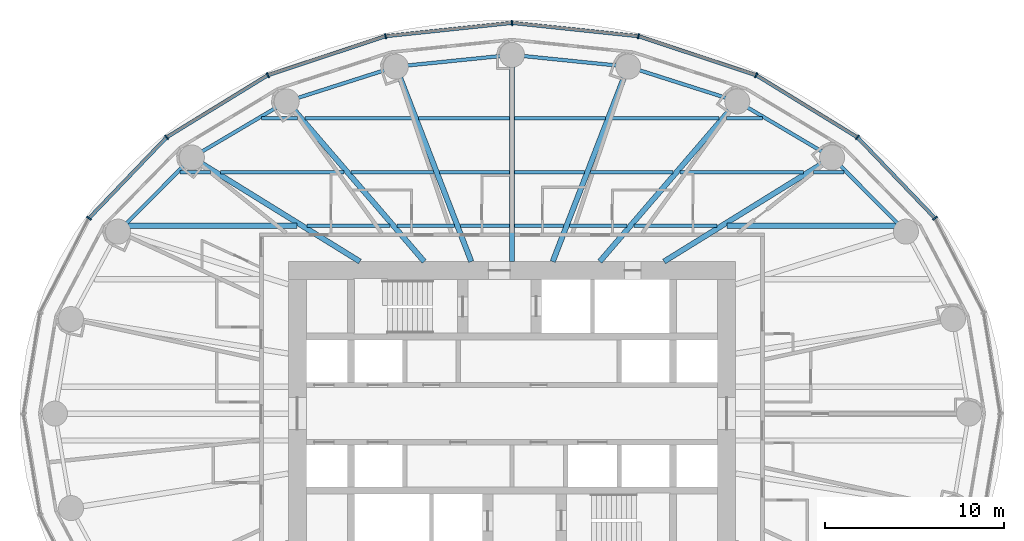
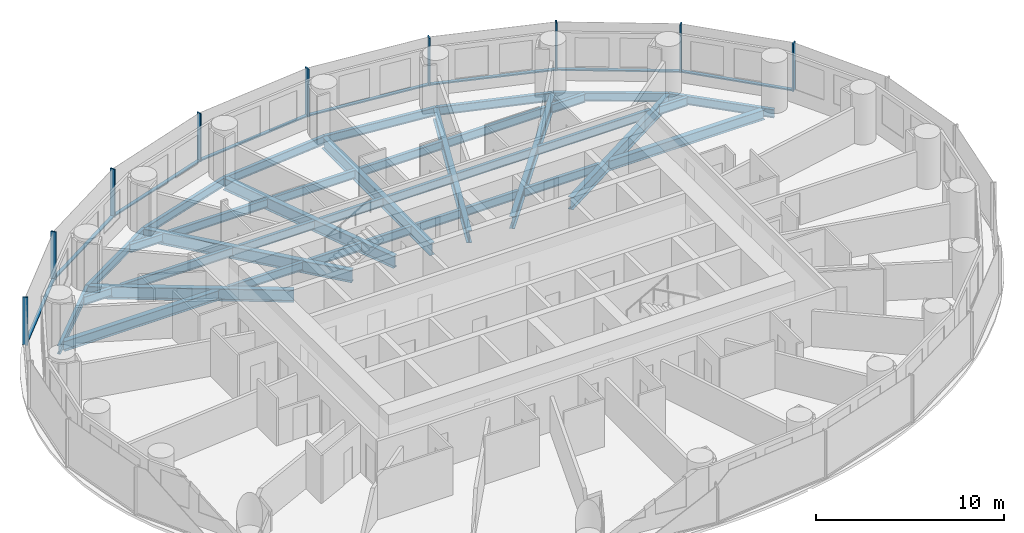
# One storey, part 4 of 14: 37 beams, 17 members, 2 elements without a shape of their own.
"""IFC4 building model written with IfcOpenShell, lengths in metres."""

from ifc_helpers import new_model, si_unit, direction, frame, origin, origin_2d, place, context, subcontext, project, spatial, rectangle, i_section, extrude, material, material_profile, profile_set, type_object, element, aggregate, save


model = new_model("IFC4")

# Units and contexts
model_context = context("Model", 3, precision=1e-05, world=origin(), true_north=direction((0.0, 1.0)))
body_context = subcontext(model_context, "Body", "Model", "MODEL_VIEW")
ifc_project = project(units=[si_unit("LENGTHUNIT", "METRE"), si_unit("AREAUNIT", "SQUARE_METRE"), si_unit("VOLUMEUNIT", "CUBIC_METRE"), si_unit("PLANEANGLEUNIT", "RADIAN"), si_unit("MASSUNIT", "GRAM", prefix="KILO")], contexts=[model_context])

# Site, building, storey
site_placement = place(None, origin())
site = spatial("IfcSite", under=ifc_project, at=site_placement, CompositionType="ELEMENT")
building_placement = place(site_placement, origin())
building = spatial("IfcBuilding", under=site, at=building_placement, Name="Hankou Lantern Tower", CompositionType="ELEMENT")
storey_placement = place(building_placement, frame((0.0, 0.0, 63.89990234375)))
storey = spatial("IfcBuildingStorey", under=building, at=storey_placement, Name="L15", CompositionType="ELEMENT", Elevation=63.89990234375)

# Beams
ifc_material_1 = material(Name="Steel Q355B", Category="steel")
ifc_material_profile_1 = material_profile(ifc_material_1, i_section(OverallWidth=0.199951171875, OverallDepth=0.550048828125, WebThickness=0.010009765625, FlangeThickness=0.01611328125, FilletRadius=0.012939453125, at=origin_2d()), Name="HN550x200x10x16")
ifc_profile_set_1 = profile_set([ifc_material_profile_1], Name="Steel Q355B")
beam_type_1 = type_object("IfcBeamType", Name="EB6 RING BEAM HN550x200x10x16", PredefinedType="SPANDREL", material=ifc_profile_set_1)
beam_1_placement = place(storey_placement, frame((22.01904296875, 10.170166015625, -0.454833984375), z_axis=(-0.705727798394, 0.708483079949, 0.0), x_axis=(-0.708483079949, -0.705727798394, 0.0)))
element("IfcBeam", 1, at=beam_1_placement, inside=storey, type_object=beam_type_1, Name="Ring beam R03-R04 L15", PredefinedType="SPANDREL", context=body_context, shape_type="SweptSolid", body=[
    extrude(i_section(OverallWidth=0.199951171875, OverallDepth=0.550048828125, WebThickness=0.010009765625, FlangeThickness=0.01611328125, FilletRadius=0.012939453125, at=origin_2d()), origin(), (0.0, 0.0, 1.0), 5.84814453125),
])
beam_2_placement = place(storey_placement, frame((17.891845703125, 14.3134765625, -0.454833984375), z_axis=(-0.860881533543, 0.508805449268, 0.0), x_axis=(-0.508805449268, -0.860881533543, 0.0)))
element("IfcBeam", 2, at=beam_2_placement, inside=storey, type_object=beam_type_1, Name="Ring beam R04-R05 L15", PredefinedType="SPANDREL", context=body_context, shape_type="SweptSolid", body=[
    extrude(i_section(OverallWidth=0.199951171875, OverallDepth=0.550048828125, WebThickness=0.010009765625, FlangeThickness=0.01611328125, FilletRadius=0.012939453125, at=origin_2d()), origin(), (0.0, 0.0, 1.0), 6.15771484375),
])
beam_3_placement = place(storey_placement, frame((12.5908203125, 17.446533203125, -0.454833984375), z_axis=(-0.952690479428, 0.303942182671, 0.0), x_axis=(-0.303942182671, -0.952690479428, 0.0)))
element("IfcBeam", 3, at=beam_3_placement, inside=storey, type_object=beam_type_1, Name="Ring beam R05-R06 L15", PredefinedType="SPANDREL", context=body_context, shape_type="SweptSolid", body=[
    extrude(i_section(OverallWidth=0.199951171875, OverallDepth=0.550048828125, WebThickness=0.010009765625, FlangeThickness=0.01611328125, FilletRadius=0.012939453125, at=origin_2d()), origin(), (0.0, 0.0, 1.0), 6.398681640625),
])
for number, where, z_axis, x_axis, name in (
    (4, (6.494873046875, 19.391357421875, -0.454833984375), (-0.994896616842, 0.100899562915, 0.0), (-0.100899562915, -0.994896616842, 0.0), "Ring beam R06-R07 L15"),
    (5, (0.0, 20.050048828125, -0.454833984375), (-0.994896616842, -0.100899562915, 0.0), (0.100899562915, -0.994896616842, 0.0), "Ring beam R07-R08 L15"),
):
    element("IfcBeam", number, at=place(storey_placement, frame(where, z_axis=z_axis, x_axis=x_axis)), inside=storey, type_object=beam_type_1, Name=name, PredefinedType="SPANDREL", context=body_context, shape_type="SweptSolid", body=[
        extrude(i_section(OverallWidth=0.199951171875, OverallDepth=0.550048828125, WebThickness=0.010009765625, FlangeThickness=0.01611328125, FilletRadius=0.012939453125, at=origin_2d()), origin(), (0.0, 0.0, 1.0), 6.528076171875),
    ])
beam_4_placement = place(storey_placement, frame((-6.494873046875, 19.391357421875, -0.454833984375), z_axis=(-0.952690479428, -0.303942182671, 0.0), x_axis=(0.303942182671, -0.952690479428, 0.0)))
element("IfcBeam", 6, at=beam_4_placement, inside=storey, type_object=beam_type_1, Name="Ring beam R08-R09 L15", PredefinedType="SPANDREL", context=body_context, shape_type="SweptSolid", body=[
    extrude(i_section(OverallWidth=0.199951171875, OverallDepth=0.550048828125, WebThickness=0.010009765625, FlangeThickness=0.01611328125, FilletRadius=0.012939453125, at=origin_2d()), origin(), (0.0, 0.0, 1.0), 6.398681640625),
])
beam_5_placement = place(storey_placement, frame((-12.5908203125, 17.446533203125, -0.454833984375), z_axis=(-0.860881533543, -0.508805449268, 0.0), x_axis=(0.508805449268, -0.860881533543, 0.0)))
element("IfcBeam", 7, at=beam_5_placement, inside=storey, type_object=beam_type_1, Name="Ring beam R09-R10 L15", PredefinedType="SPANDREL", context=body_context, shape_type="SweptSolid", body=[
    extrude(i_section(OverallWidth=0.199951171875, OverallDepth=0.550048828125, WebThickness=0.010009765625, FlangeThickness=0.01611328125, FilletRadius=0.012939453125, at=origin_2d()), origin(), (0.0, 0.0, 1.0), 6.15771484375),
])
beam_6_placement = place(storey_placement, frame((-17.891845703125, 14.3134765625, -0.454833984375), z_axis=(-0.705727798394, -0.708483079949, 0.0), x_axis=(0.708483079949, -0.705727798394, 0.0)))
element("IfcBeam", 8, at=beam_6_placement, inside=storey, type_object=beam_type_1, Name="Ring beam R10-R11 L15", PredefinedType="SPANDREL", context=body_context, shape_type="SweptSolid", body=[
    extrude(i_section(OverallWidth=0.199951171875, OverallDepth=0.550048828125, WebThickness=0.010009765625, FlangeThickness=0.01611328125, FilletRadius=0.012939453125, at=origin_2d()), origin(), (0.0, 0.0, 1.0), 5.84814453125),
])

# Curtain wall, members
ifc_material_2 = material(Name="Glass, dark grey tinted laminated", Category="glass")
curtain_wall_type = type_object("IfcCurtainWallType", Name="CWA OUTER SKIN LOW-RISE", PredefinedType="USERDEFINED", material=ifc_material_2)
curtain_wall_1_placement = place(storey_placement, origin())
curtain_wall_1 = element("IfcCurtainWall", 9, at=curtain_wall_1_placement, inside=storey, type_object=curtain_wall_type, Name="CWA L15 OS1", ObjectType="OUTER SKIN LOW-RISE", PredefinedType="USERDEFINED")
ifc_material_3 = material(Name="Aluminium, black anodised", Category="aluminium")
ifc_material_profile_2 = material_profile(ifc_material_3, rectangle(XDim=0.080078125, YDim=0.300048828125, at=origin_2d()), Name="MU1 80X300")
ifc_profile_set_2 = profile_set([ifc_material_profile_2], Name="Aluminium, black anodised")
member_type_1 = type_object("IfcMemberType", Name="MU1 OUTER SKIN MULLION 80X300", PredefinedType="MULLION", material=ifc_profile_set_2)
member_1_placement = place(storey_placement, frame((23.642578125, 10.919921875, 0.0), z_axis=(0.0, 0.0, 1.0), x_axis=(-0.585205735974, 0.810884854084, 0.0)))
member_1 = element("IfcMember", 10, at=member_1_placement, type_object=member_type_1, Name="CWA mullion 3", PredefinedType="MULLION", context=body_context, shape_type="SweptSolid", body=[
    extrude(rectangle(XDim=0.080078125, YDim=0.300048828125, at=origin_2d()), origin(), (0.0, 0.0, 1.0), 3.1201171875),
])
member_2_placement = place(storey_placement, frame((19.303955078125, 15.443115234375, 0.0), z_axis=(0.0, 0.0, 1.0), x_axis=(-0.780868809444, 0.624695047553, 0.0)))
member_2 = element("IfcMember", 11, at=member_2_placement, type_object=member_type_1, Name="CWA mullion 4", PredefinedType="MULLION", context=body_context, shape_type="SweptSolid", body=[
    extrude(rectangle(XDim=0.080078125, YDim=0.300048828125, at=origin_2d()), origin(), (0.0, 0.0, 1.0), 3.1201171875),
])
member_3_placement = place(storey_placement, frame((13.64990234375, 18.9140625, 0.0), z_axis=(0.0, 0.0, 1.0), x_axis=(-0.907841299004, 0.419313934686, 0.0)))
member_3 = element("IfcMember", 12, at=member_3_placement, type_object=member_type_1, Name="CWA mullion 5", PredefinedType="MULLION", context=body_context, shape_type="SweptSolid", body=[
    extrude(rectangle(XDim=0.080078125, YDim=0.300048828125, at=origin_2d()), origin(), (0.0, 0.0, 1.0), 3.1201171875),
])
member_4_placement = place(storey_placement, frame((7.065673828125, 21.095703125, 0.0), z_axis=(0.0, 0.0, 1.0), x_axis=(-0.977787659625, 0.209597931016, 0.0)))
member_4 = element("IfcMember", 13, at=member_4_placement, type_object=member_type_1, Name="CWA mullion 6", PredefinedType="MULLION", context=body_context, shape_type="SweptSolid", body=[
    extrude(rectangle(XDim=0.080078125, YDim=0.300048828125, at=origin_2d()), origin(), (0.0, 0.0, 1.0), 3.1201171875),
])

curtain_wall_2_placement = place(storey_placement, origin())
curtain_wall_2 = element("IfcCurtainWall", 14, at=curtain_wall_2_placement, inside=storey, type_object=curtain_wall_type, Name="CWA L15 OS2", ObjectType="OUTER SKIN LOW-RISE", PredefinedType="USERDEFINED")
member_5_placement = place(storey_placement, frame((0.0, 21.840087890625, 0.0), z_axis=(0.0, 0.0, 1.0), x_axis=(-0.994499359107, -0.104742659579, 0.0)))
member_5 = element("IfcMember", 15, at=member_5_placement, type_object=member_type_1, Name="CWA mullion 1", PredefinedType="MULLION", context=body_context, shape_type="SweptSolid", body=[
    extrude(rectangle(XDim=0.080078125, YDim=0.300048828125, at=origin_2d()), origin(), (0.0, 0.0, 1.0), 3.1201171875),
])
member_6_placement = place(storey_placement, frame((-7.065673828125, 21.095703125, 0.0), z_axis=(0.0, 0.0, 1.0), x_axis=(-0.977787659625, -0.209597931016, 0.0)))
member_6 = element("IfcMember", 16, at=member_6_placement, type_object=member_type_1, Name="CWA mullion 2", PredefinedType="MULLION", context=body_context, shape_type="SweptSolid", body=[
    extrude(rectangle(XDim=0.080078125, YDim=0.300048828125, at=origin_2d()), origin(), (0.0, 0.0, 1.0), 3.1201171875),
])
member_7_placement = place(storey_placement, frame((-13.64990234375, 18.9140625, 0.0), z_axis=(0.0, 0.0, 1.0), x_axis=(-0.907841299004, -0.419313934686, 0.0)))
member_7 = element("IfcMember", 17, at=member_7_placement, type_object=member_type_1, Name="CWA mullion 3", PredefinedType="MULLION", context=body_context, shape_type="SweptSolid", body=[
    extrude(rectangle(XDim=0.080078125, YDim=0.300048828125, at=origin_2d()), origin(), (0.0, 0.0, 1.0), 3.1201171875),
])
member_8_placement = place(storey_placement, frame((-19.303955078125, 15.443115234375, 0.0), z_axis=(0.0, 0.0, 1.0), x_axis=(-0.780868809444, -0.624695047553, 0.0)))
member_8 = element("IfcMember", 18, at=member_8_placement, type_object=member_type_1, Name="CWA mullion 4", PredefinedType="MULLION", context=body_context, shape_type="SweptSolid", body=[
    extrude(rectangle(XDim=0.080078125, YDim=0.300048828125, at=origin_2d()), origin(), (0.0, 0.0, 1.0), 3.1201171875),
])
member_9_placement = place(storey_placement, frame((-23.642578125, 10.919921875, 0.0), z_axis=(0.0, 0.0, 1.0), x_axis=(-0.585205735974, -0.810884854084, 0.0)))
member_9 = element("IfcMember", 19, at=member_9_placement, type_object=member_type_1, Name="CWA mullion 5", PredefinedType="MULLION", context=body_context, shape_type="SweptSolid", body=[
    extrude(rectangle(XDim=0.080078125, YDim=0.300048828125, at=origin_2d()), origin(), (0.0, 0.0, 1.0), 3.1201171875),
])

# Beams
ifc_material_4 = material(Name="Steel Q355B", Category="steel")
ifc_material_profile_3 = material_profile(ifc_material_4, i_section(OverallWidth=0.300048828125, OverallDepth=0.800048828125, WebThickness=0.013916015625, FlangeThickness=0.02587890625, FilletRadius=0.01806640625, at=origin_2d()), Name="HN800x300x14x26")
ifc_profile_set_3 = profile_set([ifc_material_profile_3], Name="Steel Q355B")
beam_type_2 = type_object("IfcBeamType", Name="RB11 RADIAL BEAM HN800x300x14x26", PredefinedType="BEAM", material=ifc_profile_set_3)
beam_7_placement = place(storey_placement, frame((8.5, 8.5, -0.579833984375), z_axis=(0.850286343288, 0.526320372414, 0.0), x_axis=(-0.526320372414, 0.850286343288, 0.0)))
element("IfcBeam", 20, at=beam_7_placement, inside=storey, type_object=beam_type_2, Name="Radial beam R04 L15", PredefinedType="BEAM", context=body_context, shape_type="SweptSolid", body=[
    extrude(i_section(OverallWidth=0.300048828125, OverallDepth=0.800048828125, WebThickness=0.013916015625, FlangeThickness=0.02587890625, FilletRadius=0.01806640625, at=origin_2d()), origin(), (0.0, 0.0, 1.0), 11.04541015625),
])
beam_8_placement = place(storey_placement, frame((4.907470703125, 8.5, -0.579833984375), z_axis=(0.651519061225, 0.758632264579, 0.0), x_axis=(-0.758632264579, 0.651519061225, 0.0)))
element("IfcBeam", 21, at=beam_8_placement, inside=storey, type_object=beam_type_2, Name="Radial beam R05 L15", PredefinedType="BEAM", context=body_context, shape_type="SweptSolid", body=[
    extrude(i_section(OverallWidth=0.300048828125, OverallDepth=0.800048828125, WebThickness=0.013916015625, FlangeThickness=0.02587890625, FilletRadius=0.01806640625, at=origin_2d()), origin(), (0.0, 0.0, 1.0), 11.79296875),
])
beam_9_placement = place(storey_placement, frame((2.277587890625, 8.5, -0.579833984375), z_axis=(0.361089103374, 0.932531318201, 0.0), x_axis=(-0.932531318201, 0.361089103374, 0.0)))
element("IfcBeam", 22, at=beam_9_placement, inside=storey, type_object=beam_type_2, Name="Radial beam R06 L15", PredefinedType="BEAM", context=body_context, shape_type="SweptSolid", body=[
    extrude(i_section(OverallWidth=0.300048828125, OverallDepth=0.800048828125, WebThickness=0.013916015625, FlangeThickness=0.02587890625, FilletRadius=0.01806640625, at=origin_2d()), origin(), (0.0, 0.0, 1.0), 11.679443359375),
])
beam_10_placement = place(storey_placement, frame((0.0, 8.5, -0.579833984375), z_axis=(0.0, 1.0, 0.0), x_axis=(-1.0, 0.0, 0.0)))
element("IfcBeam", 23, at=beam_10_placement, inside=storey, type_object=beam_type_2, Name="Radial beam R07 L15", PredefinedType="BEAM", context=body_context, shape_type="SweptSolid", body=[
    extrude(i_section(OverallWidth=0.300048828125, OverallDepth=0.800048828125, WebThickness=0.013916015625, FlangeThickness=0.02587890625, FilletRadius=0.01806640625, at=origin_2d()), origin(), (0.0, 0.0, 1.0), 11.550048828125),
])
beam_11_placement = place(storey_placement, frame((-2.277587890625, 8.5, -0.579833984375), z_axis=(-0.361089103374, 0.932531318201, 0.0), x_axis=(-0.932531318201, -0.361089103374, 0.0)))
element("IfcBeam", 24, at=beam_11_placement, inside=storey, type_object=beam_type_2, Name="Radial beam R08 L15", PredefinedType="BEAM", context=body_context, shape_type="SweptSolid", body=[
    extrude(i_section(OverallWidth=0.300048828125, OverallDepth=0.800048828125, WebThickness=0.013916015625, FlangeThickness=0.02587890625, FilletRadius=0.01806640625, at=origin_2d()), origin(), (0.0, 0.0, 1.0), 11.679443359375),
])
beam_12_placement = place(storey_placement, frame((-4.907470703125, 8.5, -0.579833984375), z_axis=(-0.651519061225, 0.758632264579, 0.0), x_axis=(-0.758632264579, -0.651519061225, 0.0)))
element("IfcBeam", 25, at=beam_12_placement, inside=storey, type_object=beam_type_2, Name="Radial beam R09 L15", PredefinedType="BEAM", context=body_context, shape_type="SweptSolid", body=[
    extrude(i_section(OverallWidth=0.300048828125, OverallDepth=0.800048828125, WebThickness=0.013916015625, FlangeThickness=0.02587890625, FilletRadius=0.01806640625, at=origin_2d()), origin(), (0.0, 0.0, 1.0), 11.79296875),
])
beam_13_placement = place(storey_placement, frame((-8.5, 8.5, -0.579833984375), z_axis=(-0.850286343288, 0.526320372414, 0.0), x_axis=(-0.526320372414, -0.850286343288, 0.0)))
element("IfcBeam", 26, at=beam_13_placement, inside=storey, type_object=beam_type_2, Name="Radial beam R10 L15", PredefinedType="BEAM", context=body_context, shape_type="SweptSolid", body=[
    extrude(i_section(OverallWidth=0.300048828125, OverallDepth=0.800048828125, WebThickness=0.013916015625, FlangeThickness=0.02587890625, FilletRadius=0.01806640625, at=origin_2d()), origin(), (0.0, 0.0, 1.0), 11.04541015625),
])
ifc_material_5 = material(Name="Steel Q355B", Category="steel")
ifc_material_profile_4 = material_profile(ifc_material_5, i_section(OverallWidth=0.199951171875, OverallDepth=0.550048828125, WebThickness=0.010009765625, FlangeThickness=0.01611328125, FilletRadius=0.012939453125, at=origin_2d()), Name="HN550x200x10x16")
ifc_profile_set_4 = profile_set([ifc_material_profile_4], Name="Steel Q355B")
beam_type_3 = type_object("IfcBeamType", Name="SB6 SECONDARY BEAM HN550x200x10x16", PredefinedType="JOIST", material=ifc_profile_set_4)
beam_14_placement = place(storey_placement, frame((-11.446044921875, 10.5, -0.454833984375), z_axis=(1.0, 0.0, 0.0), x_axis=(0.0, 1.0, 0.0)))
element("IfcBeam", 27, at=beam_14_placement, inside=storey, type_object=beam_type_3, Name="Floor joist J040 L15", PredefinedType="JOIST", context=body_context, shape_type="SweptSolid", body=[
    extrude(i_section(OverallWidth=0.199951171875, OverallDepth=0.550048828125, WebThickness=0.010009765625, FlangeThickness=0.01611328125, FilletRadius=0.012939453125, at=origin_2d()), origin(), (0.0, 0.0, 1.0), 4.623291015625),
])
beam_15_placement = place(storey_placement, frame((-6.427490234375, 10.5, -0.454833984375), z_axis=(1.0, 0.0, 0.0), x_axis=(0.0, 1.0, 0.0)))
element("IfcBeam", 28, at=beam_15_placement, inside=storey, type_object=beam_type_3, Name="Floor joist J041 L15", PredefinedType="JOIST", context=body_context, shape_type="SweptSolid", body=[
    extrude(i_section(OverallWidth=0.199951171875, OverallDepth=0.550048828125, WebThickness=0.010009765625, FlangeThickness=0.01611328125, FilletRadius=0.012939453125, at=origin_2d()), origin(), (0.0, 0.0, 1.0), 3.214599609375),
])
for number, where, z_axis, x_axis, name in (
    (29, (-2.89111328125, 10.5, -0.454833984375), (1.0, 0.0, 0.0), (0.0, 1.0, 0.0), "Floor joist J042 L15"),
    (30, (0.14990234375, 10.5, -0.454833984375), (1.0, 0.0, 0.0), (0.0, 1.0, 0.0), "Floor joist J043 L15"),
):
    element("IfcBeam", number, at=place(storey_placement, frame(where, z_axis=z_axis, x_axis=x_axis)), inside=storey, type_object=beam_type_3, Name=name, PredefinedType="JOIST", context=body_context, shape_type="SweptSolid", body=[
        extrude(i_section(OverallWidth=0.199951171875, OverallDepth=0.550048828125, WebThickness=0.010009765625, FlangeThickness=0.01611328125, FilletRadius=0.012939453125, at=origin_2d()), origin(), (0.0, 0.0, 1.0), 2.7412109375),
    ])
beam_16_placement = place(storey_placement, frame((3.212890625, 10.5, -0.454833984375), z_axis=(1.0, 0.0, 0.0), x_axis=(0.0, 1.0, 0.0)))
element("IfcBeam", 31, at=beam_16_placement, inside=storey, type_object=beam_type_3, Name="Floor joist J044 L15", PredefinedType="JOIST", context=body_context, shape_type="SweptSolid", body=[
    extrude(i_section(OverallWidth=0.199951171875, OverallDepth=0.550048828125, WebThickness=0.010009765625, FlangeThickness=0.01611328125, FilletRadius=0.012939453125, at=origin_2d()), origin(), (0.0, 0.0, 1.0), 3.214599609375),
])
beam_17_placement = place(storey_placement, frame((6.82275390625, 10.5, -0.454833984375), z_axis=(1.0, 0.0, 0.0), x_axis=(0.0, 1.0, 0.0)))
element("IfcBeam", 32, at=beam_17_placement, inside=storey, type_object=beam_type_3, Name="Floor joist J045 L15", PredefinedType="JOIST", context=body_context, shape_type="SweptSolid", body=[
    extrude(i_section(OverallWidth=0.199951171875, OverallDepth=0.550048828125, WebThickness=0.010009765625, FlangeThickness=0.01611328125, FilletRadius=0.012939453125, at=origin_2d()), origin(), (0.0, 0.0, 1.0), 4.623291015625),
])
beam_18_placement = place(storey_placement, frame((-18.560791015625, 13.5, -0.454833984375), z_axis=(1.0, 0.0, 0.0), x_axis=(0.0, 1.0, 0.0)))
element("IfcBeam", 33, at=beam_18_placement, inside=storey, type_object=beam_type_3, Name="Floor joist J047 L15", PredefinedType="JOIST", context=body_context, shape_type="SweptSolid", body=[
    extrude(i_section(OverallWidth=0.199951171875, OverallDepth=0.550048828125, WebThickness=0.010009765625, FlangeThickness=0.01611328125, FilletRadius=0.012939453125, at=origin_2d()), origin(), (0.0, 0.0, 1.0), 1.697998046875),
])
beam_19_placement = place(storey_placement, frame((-16.292724609375, 13.5, -0.454833984375), z_axis=(1.0, 0.0, 0.0), x_axis=(0.0, 1.0, 0.0)))
element("IfcBeam", 34, at=beam_19_placement, inside=storey, type_object=beam_type_3, Name="Floor joist J048 L15", PredefinedType="JOIST", context=body_context, shape_type="SweptSolid", body=[
    extrude(i_section(OverallWidth=0.199951171875, OverallDepth=0.550048828125, WebThickness=0.010009765625, FlangeThickness=0.01611328125, FilletRadius=0.012939453125, at=origin_2d()), origin(), (0.0, 0.0, 1.0), 6.893310546875),
])
beam_20_placement = place(storey_placement, frame((-9.00390625, 13.5, -0.454833984375), z_axis=(1.0, 0.0, 0.0), x_axis=(0.0, 1.0, 0.0)))
element("IfcBeam", 35, at=beam_20_placement, inside=storey, type_object=beam_type_3, Name="Floor joist J049 L15", PredefinedType="JOIST", context=body_context, shape_type="SweptSolid", body=[
    extrude(i_section(OverallWidth=0.199951171875, OverallDepth=0.550048828125, WebThickness=0.010009765625, FlangeThickness=0.01611328125, FilletRadius=0.012939453125, at=origin_2d()), origin(), (0.0, 0.0, 1.0), 4.62939453125),
])
for number, where, z_axis, x_axis, name in (
    (36, (-4.052734375, 13.5, -0.454833984375), (1.0, 0.0, 0.0), (0.0, 1.0, 0.0), "Floor joist J050 L15"),
    (37, (0.14990234375, 13.5, -0.454833984375), (1.0, 0.0, 0.0), (0.0, 1.0, 0.0), "Floor joist J051 L15"),
):
    element("IfcBeam", number, at=place(storey_placement, frame(where, z_axis=z_axis, x_axis=x_axis)), inside=storey, type_object=beam_type_3, Name=name, PredefinedType="JOIST", context=body_context, shape_type="SweptSolid", body=[
        extrude(i_section(OverallWidth=0.199951171875, OverallDepth=0.550048828125, WebThickness=0.010009765625, FlangeThickness=0.01611328125, FilletRadius=0.012939453125, at=origin_2d()), origin(), (0.0, 0.0, 1.0), 3.90283203125),
    ])
beam_21_placement = place(storey_placement, frame((4.37451171875, 13.5, -0.454833984375), z_axis=(1.0, 0.0, 0.0), x_axis=(0.0, 1.0, 0.0)))
element("IfcBeam", 38, at=beam_21_placement, inside=storey, type_object=beam_type_3, Name="Floor joist J052 L15", PredefinedType="JOIST", context=body_context, shape_type="SweptSolid", body=[
    extrude(i_section(OverallWidth=0.199951171875, OverallDepth=0.550048828125, WebThickness=0.010009765625, FlangeThickness=0.01611328125, FilletRadius=0.012939453125, at=origin_2d()), origin(), (0.0, 0.0, 1.0), 4.62939453125),
])
beam_22_placement = place(storey_placement, frame((9.3994140625, 13.5, -0.454833984375), z_axis=(1.0, 0.0, 0.0), x_axis=(0.0, 1.0, 0.0)))
element("IfcBeam", 39, at=beam_22_placement, inside=storey, type_object=beam_type_3, Name="Floor joist J053 L15", PredefinedType="JOIST", context=body_context, shape_type="SweptSolid", body=[
    extrude(i_section(OverallWidth=0.199951171875, OverallDepth=0.550048828125, WebThickness=0.010009765625, FlangeThickness=0.01611328125, FilletRadius=0.012939453125, at=origin_2d()), origin(), (0.0, 0.0, 1.0), 6.893310546875),
])
beam_23_placement = place(storey_placement, frame((16.86279296875, 13.5, -0.454833984375), z_axis=(1.0, 0.0, 0.0), x_axis=(0.0, 1.0, 0.0)))
element("IfcBeam", 40, at=beam_23_placement, inside=storey, type_object=beam_type_3, Name="Floor joist J054 L15", PredefinedType="JOIST", context=body_context, shape_type="SweptSolid", body=[
    extrude(i_section(OverallWidth=0.199951171875, OverallDepth=0.550048828125, WebThickness=0.010009765625, FlangeThickness=0.01611328125, FilletRadius=0.012939453125, at=origin_2d()), origin(), (0.0, 0.0, 1.0), 1.697998046875),
])
beam_24_placement = place(storey_placement, frame((-13.99560546875, 16.5, -0.454833984375), z_axis=(1.0, 0.0, 0.0), x_axis=(0.0, 1.0, 0.0)))
element("IfcBeam", 41, at=beam_24_placement, inside=storey, type_object=beam_type_3, Name="Floor joist J055 L15", PredefinedType="JOIST", context=body_context, shape_type="SweptSolid", body=[
    extrude(i_section(OverallWidth=0.199951171875, OverallDepth=0.550048828125, WebThickness=0.010009765625, FlangeThickness=0.01611328125, FilletRadius=0.012939453125, at=origin_2d()), origin(), (0.0, 0.0, 1.0), 2.019775390625),
])
beam_25_placement = place(storey_placement, frame((-11.580322265625, 16.5, -0.454833984375), z_axis=(1.0, 0.0, 0.0), x_axis=(0.0, 1.0, 0.0)))
element("IfcBeam", 42, at=beam_25_placement, inside=storey, type_object=beam_type_3, Name="Floor joist J056 L15", PredefinedType="JOIST", context=body_context, shape_type="SweptSolid", body=[
    extrude(i_section(OverallWidth=0.199951171875, OverallDepth=0.550048828125, WebThickness=0.010009765625, FlangeThickness=0.01611328125, FilletRadius=0.012939453125, at=origin_2d()), origin(), (0.0, 0.0, 1.0), 6.044189453125),
])
for number, where, z_axis, x_axis, name in (
    (43, (-5.21435546875, 16.5, -0.454833984375), (1.0, 0.0, 0.0), (0.0, 1.0, 0.0), "Floor joist J057 L15"),
    (44, (0.14990234375, 16.5, -0.454833984375), (1.0, 0.0, 0.0), (0.0, 1.0, 0.0), "Floor joist J058 L15"),
):
    element("IfcBeam", number, at=place(storey_placement, frame(where, z_axis=z_axis, x_axis=x_axis)), inside=storey, type_object=beam_type_3, Name=name, PredefinedType="JOIST", context=body_context, shape_type="SweptSolid", body=[
        extrude(i_section(OverallWidth=0.199951171875, OverallDepth=0.550048828125, WebThickness=0.010009765625, FlangeThickness=0.01611328125, FilletRadius=0.012939453125, at=origin_2d()), origin(), (0.0, 0.0, 1.0), 5.064453125),
    ])
beam_26_placement = place(storey_placement, frame((5.5361328125, 16.5, -0.454833984375), z_axis=(1.0, 0.0, 0.0), x_axis=(0.0, 1.0, 0.0)))
element("IfcBeam", 45, at=beam_26_placement, inside=storey, type_object=beam_type_3, Name="Floor joist J059 L15", PredefinedType="JOIST", context=body_context, shape_type="SweptSolid", body=[
    extrude(i_section(OverallWidth=0.199951171875, OverallDepth=0.550048828125, WebThickness=0.010009765625, FlangeThickness=0.01611328125, FilletRadius=0.012939453125, at=origin_2d()), origin(), (0.0, 0.0, 1.0), 6.044189453125),
])
beam_27_placement = place(storey_placement, frame((11.975830078125, 16.5, -0.454833984375), z_axis=(1.0, 0.0, 0.0), x_axis=(0.0, 1.0, 0.0)))
element("IfcBeam", 46, at=beam_27_placement, inside=storey, type_object=beam_type_3, Name="Floor joist J060 L15", PredefinedType="JOIST", context=body_context, shape_type="SweptSolid", body=[
    extrude(i_section(OverallWidth=0.199951171875, OverallDepth=0.550048828125, WebThickness=0.010009765625, FlangeThickness=0.01611328125, FilletRadius=0.012939453125, at=origin_2d()), origin(), (0.0, 0.0, 1.0), 2.019775390625),
])
ifc_material_6 = material(Name="Steel Q355B", Category="steel")
ifc_material_profile_5 = material_profile(ifc_material_6, i_section(OverallWidth=0.300048828125, OverallDepth=0.64990234375, WebThickness=0.010986328125, FlangeThickness=0.01708984375, FilletRadius=0.01806640625, at=origin_2d()), Name="HN650x300x11x17")
ifc_profile_set_5 = profile_set([ifc_material_profile_5], Name="Steel Q355B")
beam_type_4 = type_object("IfcBeamType", Name="SB8 SECONDARY BEAM HN650x300x11x17", PredefinedType="JOIST", material=ifc_profile_set_5)
for number, where, z_axis, x_axis, name in (
    (47, (-21.54931640625, 10.5, -0.5048828125), (1.0, 0.0, 0.0), (0.0, 1.0, 0.0), "Floor joist J039 L15"),
    (48, (12.01611328125, 10.5, -0.5048828125), (1.0, 0.0, 0.0), (0.0, 1.0, 0.0), "Floor joist J046 L15"),
):
    element("IfcBeam", number, at=place(storey_placement, frame(where, z_axis=z_axis, x_axis=x_axis)), inside=storey, type_object=beam_type_4, Name=name, PredefinedType="JOIST", context=body_context, shape_type="SweptSolid", body=[
        extrude(i_section(OverallWidth=0.300048828125, OverallDepth=0.64990234375, WebThickness=0.010986328125, FlangeThickness=0.01708984375, FilletRadius=0.01806640625, at=origin_2d()), origin(), (0.0, 0.0, 1.0), 9.533203125),
    ])

# Member
ifc_material_7 = material(Name="Aluminium, black anodised", Category="aluminium")
ifc_material_profile_6 = material_profile(ifc_material_7, rectangle(XDim=0.199951171875, YDim=0.080078125, at=origin_2d()), Name="TR1 200X80")
ifc_profile_set_6 = profile_set([ifc_material_profile_6], Name="Aluminium, black anodised")
member_type_2 = type_object("IfcMemberType", Name="TR1 OUTER SKIN TRANSOM 200X80", PredefinedType="USERDEFINED", material=ifc_profile_set_6)
member_10_placement = place(storey_placement, frame((23.61474609375, 10.948974609375, 0.0400390625), z_axis=(-0.692215537374, 0.721690827029, 0.0), x_axis=(-0.721690827029, -0.692215537374, 0.0)))
member_10 = element("IfcMember", 49, at=member_10_placement, type_object=member_type_2, Name="CWA transom 3", ObjectType="TRANSOM", PredefinedType="USERDEFINED", context=body_context, shape_type="SweptSolid", body=[
    extrude(rectangle(XDim=0.199951171875, YDim=0.080078125, at=origin_2d()), origin(), (0.0, 0.0, 1.0), 6.187255859375),
])

member_11_placement = place(storey_placement, frame((19.27001953125, 15.464111328125, 0.0400390625), z_axis=(-0.85223969557, 0.523151508929, 0.0), x_axis=(-0.523151508929, -0.85223969557, 0.0)))
member_11 = element("IfcMember", 50, at=member_11_placement, type_object=member_type_2, Name="CWA transom 4", ObjectType="TRANSOM", PredefinedType="USERDEFINED", context=body_context, shape_type="SweptSolid", body=[
    extrude(rectangle(XDim=0.199951171875, YDim=0.080078125, at=origin_2d()), origin(), (0.0, 0.0, 1.0), 6.554443359375),
])

member_12_placement = place(storey_placement, frame((13.612060546875, 18.926513671875, 0.0400390625), z_axis=(-0.949237318771, 0.314560825044, 0.0), x_axis=(-0.314560825044, -0.949237318771, 0.0)))
member_12 = element("IfcMember", 51, at=member_12_placement, type_object=member_type_2, Name="CWA transom 5", ObjectType="TRANSOM", PredefinedType="USERDEFINED", context=body_context, shape_type="SweptSolid", body=[
    extrude(rectangle(XDim=0.199951171875, YDim=0.080078125, at=origin_2d()), origin(), (0.0, 0.0, 1.0), 6.8564453125),
])

member_13_placement = place(storey_placement, frame((7.02587890625, 21.10009765625, 0.0400390625), z_axis=(-0.994502215033, 0.104715539888, 0.0), x_axis=(-0.104715539888, -0.994502215033, 0.0)))
member_13 = element("IfcMember", 52, at=member_13_placement, type_object=member_type_2, Name="CWA transom 6", ObjectType="TRANSOM", PredefinedType="USERDEFINED", context=body_context, shape_type="SweptSolid", body=[
    extrude(rectangle(XDim=0.199951171875, YDim=0.080078125, at=origin_2d()), origin(), (0.0, 0.0, 1.0), 7.024658203125),
])

aggregate(curtain_wall_1, [member_1, member_2, member_3, member_4, member_10, member_11, member_12, member_13])

member_14_placement = place(storey_placement, frame((-0.039794921875, 21.835693359375, 0.0400390625), z_axis=(-0.994502215033, -0.104715539888, 0.0), x_axis=(0.104715539888, -0.994502215033, 0.0)))
member_14 = element("IfcMember", 53, at=member_14_placement, type_object=member_type_2, Name="CWA transom 1", ObjectType="TRANSOM", PredefinedType="USERDEFINED", context=body_context, shape_type="SweptSolid", body=[
    extrude(rectangle(XDim=0.199951171875, YDim=0.080078125, at=origin_2d()), origin(), (0.0, 0.0, 1.0), 7.024658203125),
])

member_15_placement = place(storey_placement, frame((-7.103759765625, 21.083251953125, 0.0400390625), z_axis=(-0.949237318771, -0.314560825044, 0.0), x_axis=(0.314560825044, -0.949237318771, 0.0)))
member_15 = element("IfcMember", 54, at=member_15_placement, type_object=member_type_2, Name="CWA transom 2", ObjectType="TRANSOM", PredefinedType="USERDEFINED", context=body_context, shape_type="SweptSolid", body=[
    extrude(rectangle(XDim=0.199951171875, YDim=0.080078125, at=origin_2d()), origin(), (0.0, 0.0, 1.0), 6.8564453125),
])

member_16_placement = place(storey_placement, frame((-13.68408203125, 18.89306640625, 0.0400390625), z_axis=(-0.85223969557, -0.523151508929, 0.0), x_axis=(0.523151508929, -0.85223969557, 0.0)))
member_16 = element("IfcMember", 55, at=member_16_placement, type_object=member_type_2, Name="CWA transom 3", ObjectType="TRANSOM", PredefinedType="USERDEFINED", context=body_context, shape_type="SweptSolid", body=[
    extrude(rectangle(XDim=0.199951171875, YDim=0.080078125, at=origin_2d()), origin(), (0.0, 0.0, 1.0), 6.554443359375),
])

member_17_placement = place(storey_placement, frame((-19.331787109375, 15.414306640625, 0.0400390625), z_axis=(-0.692215537374, -0.721690827029, 0.0), x_axis=(0.721690827029, -0.692215537374, 0.0)))
member_17 = element("IfcMember", 56, at=member_17_placement, type_object=member_type_2, Name="CWA transom 4", ObjectType="TRANSOM", PredefinedType="USERDEFINED", context=body_context, shape_type="SweptSolid", body=[
    extrude(rectangle(XDim=0.199951171875, YDim=0.080078125, at=origin_2d()), origin(), (0.0, 0.0, 1.0), 6.187255859375),
])

aggregate(curtain_wall_2, [member_5, member_6, member_7, member_8, member_9, member_14, member_15, member_16, member_17])

save(model, "model.ifc")
